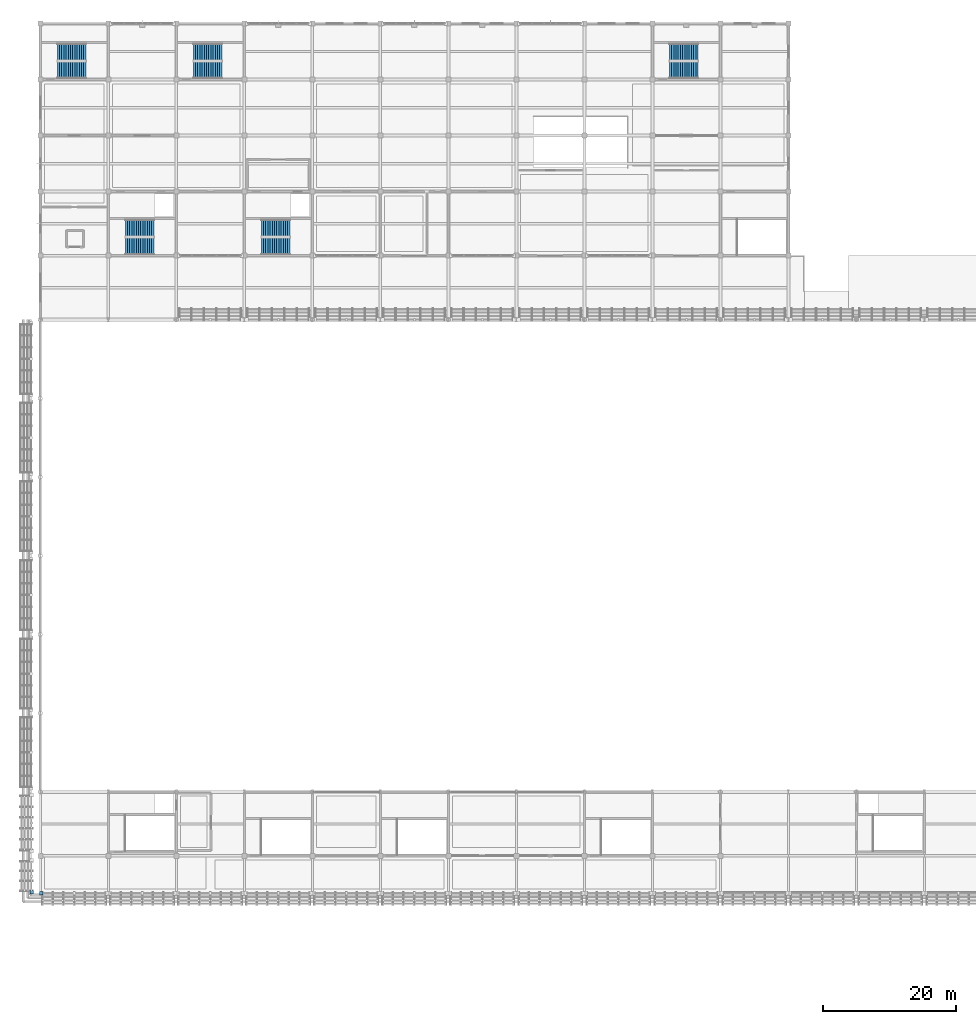
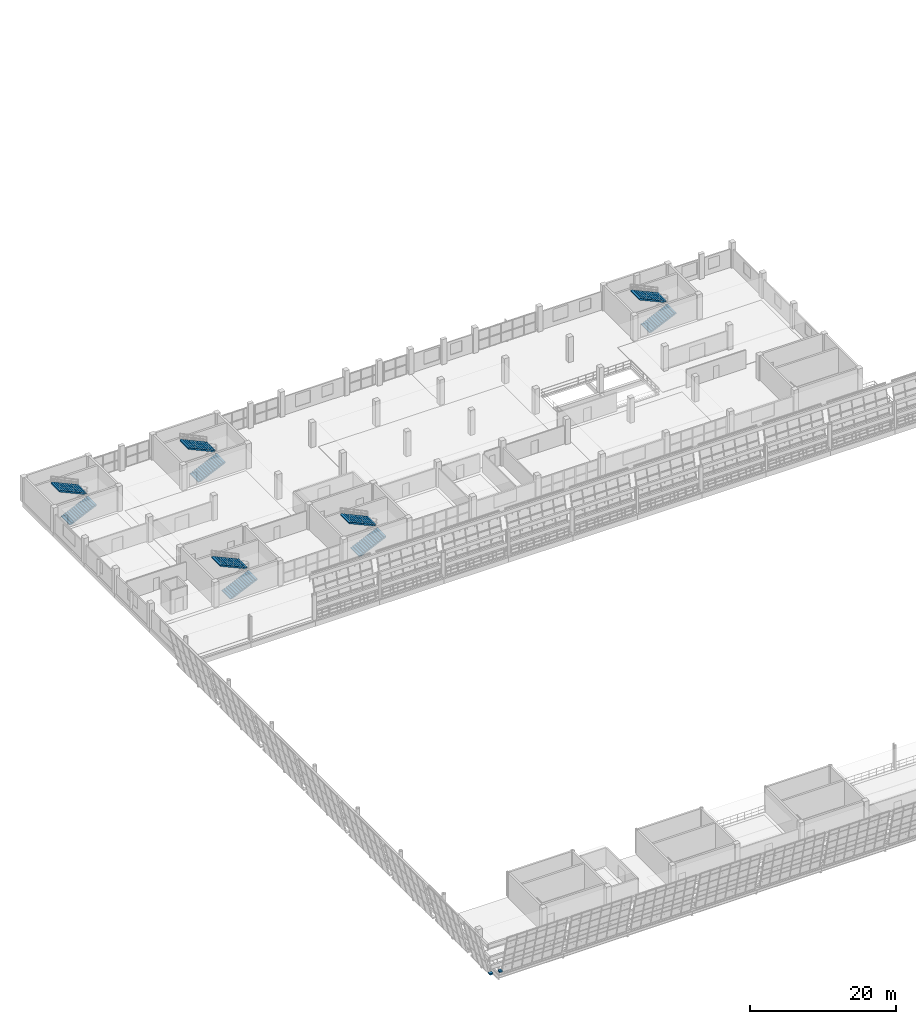
# One storey, part 135 of 157: 10 stair flights, 2 discrete accessories, 5 elements without a shape of their own.
"""IFC4 building model written with IfcOpenShell, lengths in metres."""

import ifcopenshell
import ifcopenshell.guid

model = None  # the IFC model being written
_history = None  # IfcOwnerHistory: only IFC2X3 demands one
_inside = {}  # id of a spatial element -> (the spatial element, [elements in it])
_under = {}  # id of a project, library or spatial element -> (it, [spatial elements below it])
_declared = {}  # id of a project -> (the project, [libraries it declares])
_typed = {}  # id of a type object -> (the type object, [elements of that type])
_made_of = {}  # id of a material, layer set ... -> (it, [elements and type objects made of it])


def new_model(schema):
    """Start an empty IFC model of exactly this schema.

    Asked for "IFC4X3", IfcOpenShell would pick the latest addendum, in which some entities
    have other attributes; the version numbers below select the first issue.
    IFC2X3 requires an IfcOwnerHistory on every rooted entity: one is made here for all.
    """
    global model, _history
    if schema == "IFC4X3":
        model = ifcopenshell.file(schema_version=(4, 3, 0, 0))
    else:
        model = ifcopenshell.file(schema=schema)
    _inside.clear()
    _under.clear()
    _declared.clear()
    _typed.clear()
    _made_of.clear()
    _history = None
    if model.schema == "IFC2X3":
        org = make("IfcOrganization", Name="unknown")
        user = make(
            "IfcPersonAndOrganization",
            ThePerson=make("IfcPerson", FamilyName="unknown"),
            TheOrganization=org,
        )
        app = make(
            "IfcApplication",
            ApplicationDeveloper=org,
            Version="unknown",
            ApplicationFullName="unknown",
            ApplicationIdentifier="unknown",
        )
        _history = make(
            "IfcOwnerHistory",
            OwningUser=user,
            OwningApplication=app,
            ChangeAction="ADDED",
            CreationDate=0,
        )
    return model


def make(cls, **values):
    """One entity of the class cls with the attributes given. An attribute that is None is left unset."""
    return model.create_entity(
        cls, **{name: value for name, value in values.items() if value is not None}
    )


def rooted(cls, **values):
    """An entity with a GlobalId (a new one), such as an element, a storey or a relation."""
    return make(cls, GlobalId=ifcopenshell.guid.new(), OwnerHistory=_history, **values)


def si_unit(unit_type, name, prefix=None):
    """IfcSIUnit, for example si_unit("LENGTHUNIT", "METRE", prefix="MILLI")."""
    return make("IfcSIUnit", UnitType=unit_type, Prefix=prefix, Name=name)


def assignment(units):
    """IfcUnitAssignment: the units of a project."""
    return None if units is None else make("IfcUnitAssignment", Units=units)


def point(xyz):
    """IfcCartesianPoint."""
    return None if xyz is None else make("IfcCartesianPoint", Coordinates=xyz)


def direction(xyz):
    """IfcDirection."""
    return None if xyz is None else make("IfcDirection", DirectionRatios=xyz)


def frame(location, z_axis=None, x_axis=None):
    """IfcAxis2Placement3D, a coordinate frame: its origin and axes. An axis left out is left unset."""
    return make(
        "IfcAxis2Placement3D",
        Location=point(location),
        Axis=direction(z_axis),
        RefDirection=direction(x_axis),
    )


def frame_2d(location, x_axis=None):
    """IfcAxis2Placement2D, a coordinate frame in the plane: its origin and x axis."""
    return make(
        "IfcAxis2Placement2D", Location=point(location), RefDirection=direction(x_axis)
    )


def origin():
    """The frame at (0, 0, 0) with its axes left unset."""
    return frame((0.0, 0.0, 0.0))


def origin_2d():
    """The frame at (0, 0) in the plane with its x axis left unset."""
    return frame_2d((0.0, 0.0))


def place(relative_to, where):
    """IfcLocalPlacement: puts the frame where relative to a parent placement (None: the world)."""
    return make(
        "IfcLocalPlacement", PlacementRelTo=relative_to, RelativePlacement=where
    )


def context(
    kind, dimensions, precision=None, world=None, true_north=None, identifier=None
):
    """IfcGeometricRepresentationContext, for example the 3D "Model" context."""
    return make(
        "IfcGeometricRepresentationContext",
        ContextIdentifier=identifier,
        ContextType=kind,
        CoordinateSpaceDimension=dimensions,
        Precision=precision,
        WorldCoordinateSystem=world,
        TrueNorth=true_north,
    )


def subcontext(parent, identifier, kind, view, scale=None):
    """IfcGeometricRepresentationSubContext, for example "Body" below "Model"."""
    return make(
        "IfcGeometricRepresentationSubContext",
        ContextIdentifier=identifier,
        ContextType=kind,
        ParentContext=parent,
        TargetScale=scale,
        TargetView=view,
    )


def project(units=None, contexts=None):
    """IfcProject with its units and contexts."""
    return rooted(
        "IfcProject",
        Name="project",
        RepresentationContexts=contexts,
        UnitsInContext=assignment(units),
    )


def spatial(cls, under=None, at=None, **own):
    """A site, building, storey or space (cls), placed at a placement, below another one or the project."""
    s = rooted(cls, ObjectPlacement=at, **own)
    if under is not None:
        _under.setdefault(under.id(), (under, []))[1].append(s)
    return s


def polyline(points):
    """IfcPolyline through the points."""
    return make("IfcPolyline", Points=[point(p) for p in points])


def profile(cls, at=None, kind="AREA", **sizes):
    """A parametric profile (cls). Its sizes go by their IFC names, for example OverallWidth=200.0."""
    return make(cls, ProfileType=kind, Position=at, **sizes)


def rectangle(**sizes):
    """IfcRectangleProfileDef."""
    return profile("IfcRectangleProfileDef", **sizes)


def outline(outer, holes=None, kind="AREA"):
    """IfcArbitraryClosedProfileDef: a profile drawn as a closed curve; with holes, ...WithVoids."""
    if holes is None:
        return make("IfcArbitraryClosedProfileDef", ProfileType=kind, OuterCurve=outer)
    return make(
        "IfcArbitraryProfileDefWithVoids",
        ProfileType=kind,
        OuterCurve=outer,
        InnerCurves=holes,
    )


def extrude(swept, where, along, depth):
    """IfcExtrudedAreaSolid: the profile swept, set in the frame where, extruded along a direction by depth."""
    return make(
        "IfcExtrudedAreaSolid",
        SweptArea=swept,
        Position=where,
        ExtrudedDirection=direction(along),
        Depth=depth,
    )


def shape(context_of_items, identifier, shape_type, items):
    """IfcShapeRepresentation: the items that make up one representation, for example the "Body"."""
    return make(
        "IfcShapeRepresentation",
        ContextOfItems=context_of_items,
        RepresentationIdentifier=identifier,
        RepresentationType=shape_type,
        Items=items,
    )


def material(Name=None, Category=None):
    """IfcMaterial."""
    return make("IfcMaterial", Name=Name, Category=Category)


def made_of(thing, what):
    """Note that an element or type object is made of a material, layer set ...; save() writes the relation."""
    if what is not None:
        _made_of.setdefault(what.id(), (what, []))[1].append(thing)
    return thing


def type_object(cls, material=None, **own):
    """A type object (cls), such as IfcWallType, which elements share."""
    return made_of(rooted(cls, **own), material)


def element(
    cls,
    number,
    at=None,
    inside=None,
    cuts=None,
    type_object=None,
    material=None,
    context=None,
    identifier="Body",
    shape_type=None,
    held_by="IfcProductDefinitionShape",
    body=None,
    shapes=None,
    **own,
):
    """One element of the class cls, such as IfcWall. Its Tag is "e" and its number.

    at: its placement. inside: the storey or other place that contains it. cuts: it is an
    opening in that element (IfcRelVoidsElement). A single representation is given by context,
    identifier, shape_type and body (its items); several are given by shapes. held_by: the class
    of the entity that holds the representations. save() writes the other relations.
    """
    e = rooted(cls, Tag="e%d" % number, ObjectPlacement=at, **own)
    if body is not None:
        shapes = [shape(context, identifier, shape_type, body)]
    if shapes is not None:
        e.Representation = make(held_by, Representations=shapes)
    if inside is not None:
        _inside.setdefault(inside.id(), (inside, []))[1].append(e)
    if cuts is not None:
        rooted(
            "IfcRelVoidsElement", RelatingBuildingElement=cuts, RelatedOpeningElement=e
        )
    if type_object is not None:
        _typed.setdefault(type_object.id(), (type_object, []))[1].append(e)
    return made_of(e, material)


def aggregate(whole, parts):
    """IfcRelAggregates: a whole, such as a stair, and the parts it consists of."""
    return rooted("IfcRelAggregates", RelatingObject=whole, RelatedObjects=parts)


def save(model, path):
    """Write the relations noted so far, then the file.

    IfcRelAggregates (storeys below a building ...), IfcRelContainedInSpatialStructure (elements
    in a storey), IfcRelDefinesByType, IfcRelAssociatesMaterial and IfcRelDeclares: one each for
    every whole, place, type object, material and project.
    """
    for whole, parts in _under.values():
        aggregate(whole, parts)
    for where, things in _inside.values():
        rooted(
            "IfcRelContainedInSpatialStructure",
            RelatedElements=things,
            RelatingStructure=where,
        )
    for kind, things in _typed.values():
        rooted("IfcRelDefinesByType", RelatedObjects=things, RelatingType=kind)
    for what, things in _made_of.values():
        rooted("IfcRelAssociatesMaterial", RelatedObjects=things, RelatingMaterial=what)
    for by, libraries in _declared.values():
        rooted("IfcRelDeclares", RelatingContext=by, RelatedDefinitions=libraries)
    model.write(path)


model = new_model("IFC4")

# Units and contexts
model_context = context("Model", 3, precision=1e-05, world=origin(), true_north=direction((0.0, 1.0)))
body_context = subcontext(model_context, "Body", "Model", "MODEL_VIEW")
ifc_project = project(units=[si_unit("LENGTHUNIT", "METRE"), si_unit("AREAUNIT", "SQUARE_METRE"), si_unit("VOLUMEUNIT", "CUBIC_METRE"), si_unit("PLANEANGLEUNIT", "RADIAN"), si_unit("MASSUNIT", "GRAM", prefix="KILO")], contexts=[model_context])

# Site, building, storey
site_placement = place(None, origin())
site = spatial("IfcSite", under=ifc_project, at=site_placement, CompositionType="ELEMENT")
building_placement = place(site_placement, origin())
building = spatial("IfcBuilding", under=site, at=building_placement, Name="Brelvane Convention Centre", CompositionType="ELEMENT")
storey_placement = place(building_placement, frame((0.0, 0.0, 10.800048828125)))
storey = spatial("IfcBuildingStorey", under=building, at=storey_placement, Name="L02", CompositionType="ELEMENT", Elevation=10.800048828125)

# Stair, stair flights
ifc_material_1 = material(Name="Concrete M40", Category="concrete")
stair_type = type_object("IfcStairType", Name="Exit Stair ST-CORE", PredefinedType="HALF_TURN_STAIR", material=ifc_material_1)
stair_1_placement = place(storey_placement, origin())
stair_1 = element("IfcStair", 1, at=stair_1_placement, inside=storey, type_object=stair_type, Name="Exit Stair ST-06 (L02 to L03)", PredefinedType="HALF_TURN_STAIR")
ifc_material_2 = material(Name="Concrete M40", Category="concrete")
stair_flight_type = type_object("IfcStairFlightType", Name="Stair Flight SF-C14", PredefinedType="STRAIGHT", material=ifc_material_2)
stair_flight_1_placement = place(storey_placement, frame((12.75, 110.6298828125, 0.0), z_axis=(0.0, 0.0, 1.0), x_axis=(1.0, 0.0, 0.0)))
stair_flight_1 = element("IfcStairFlight", 2, at=stair_flight_1_placement, type_object=stair_flight_type, Name="Stair ST-06 L02 Flight 1", NumberOfRisers=14, NumberOfTreads=13, PredefinedType="STRAIGHT", RiserHeight=0.15, TreadLength=0.33, context=body_context, shape_type="SweptSolid", body=[
    extrude(outline(polyline([(0.0, 0.0), (0.0, 0.14990234375), (0.330078125, 0.14990234375), (0.330078125, 0.300048828125), (0.659912109375, 0.300048828125), (0.659912109375, 0.449951171875), (0.989990234375, 0.449951171875), (0.989990234375, 0.60009765625), (1.320068359375, 0.60009765625), (1.320068359375, 0.75), (1.64990234375, 0.75), (1.64990234375, 0.89990234375), (1.97998046875, 0.89990234375), (1.97998046875, 1.050048828125), (2.31005859375, 1.050048828125), (2.31005859375, 1.199951171875), (2.639892578125, 1.199951171875), (2.639892578125, 1.35009765625), (2.969970703125, 1.35009765625), (2.969970703125, 1.5), (3.300048828125, 1.5), (3.300048828125, 1.64990234375), (3.6298828125, 1.64990234375), (3.6298828125, 1.800048828125), (3.9599609375, 1.800048828125), (3.9599609375, 1.949951171875), (4.2900390625, 1.949951171875), (4.2900390625, 2.10009765625), (4.2900390625, 1.75244140625), (0.434814453125, 0.0), (0.0, 0.0)])), frame((0.0, 1.18994140625, 0.0), z_axis=(0.0, -1.0, 0.0), x_axis=(1.0, 0.0, 0.0)), (0.0, 0.0, 1.0), 2.3798828125),
])
stair_flight_2_placement = place(storey_placement, frame((17.0400390625, 113.3701171875, 2.099853515625), z_axis=(0.0, 0.0, 1.0), x_axis=(-1.0, 0.0, 0.0)))
stair_flight_2 = element("IfcStairFlight", 3, at=stair_flight_2_placement, type_object=stair_flight_type, Name="Stair ST-06 L02 Flight 2", NumberOfRisers=14, NumberOfTreads=13, PredefinedType="STRAIGHT", RiserHeight=0.15, TreadLength=0.33, context=body_context, shape_type="SweptSolid", body=[
    extrude(outline(polyline([(0.0, 0.0), (0.0, 0.14990234375), (0.330078125, 0.14990234375), (0.330078125, 0.300048828125), (0.659912109375, 0.300048828125), (0.659912109375, 0.449951171875), (0.989990234375, 0.449951171875), (0.989990234375, 0.60009765625), (1.320068359375, 0.60009765625), (1.320068359375, 0.75), (1.64990234375, 0.75), (1.64990234375, 0.89990234375), (1.97998046875, 0.89990234375), (1.97998046875, 1.050048828125), (2.31005859375, 1.050048828125), (2.31005859375, 1.199951171875), (2.639892578125, 1.199951171875), (2.639892578125, 1.35009765625), (2.969970703125, 1.35009765625), (2.969970703125, 1.5), (3.300048828125, 1.5), (3.300048828125, 1.64990234375), (3.6298828125, 1.64990234375), (3.6298828125, 1.800048828125), (3.9599609375, 1.800048828125), (3.9599609375, 1.949951171875), (4.2900390625, 1.949951171875), (4.2900390625, 2.10009765625), (4.2900390625, 1.75244140625), (0.434814453125, 0.0), (0.0, 0.0)])), frame((0.0, 1.18994140625, 0.0), z_axis=(0.0, -1.0, 0.0), x_axis=(1.0, 0.0, 0.0)), (0.0, 0.0, 1.0), 2.3798828125),
])
aggregate(stair_1, [stair_flight_1, stair_flight_2])

stair_2_placement = place(storey_placement, origin())
stair_2 = element("IfcStair", 4, at=stair_2_placement, inside=storey, type_object=stair_type, Name="Exit Stair ST-07 (L02 to L03)", PredefinedType="HALF_TURN_STAIR")
stair_flight_3_placement = place(storey_placement, frame((33.14990234375, 110.6298828125, 0.0), z_axis=(0.0, 0.0, 1.0), x_axis=(1.0, 0.0, 0.0)))
stair_flight_3 = element("IfcStairFlight", 5, at=stair_flight_3_placement, type_object=stair_flight_type, Name="Stair ST-07 L02 Flight 1", NumberOfRisers=14, NumberOfTreads=13, PredefinedType="STRAIGHT", RiserHeight=0.15, TreadLength=0.33, context=body_context, shape_type="SweptSolid", body=[
    extrude(outline(polyline([(0.0, 0.0), (0.0, 0.14990234375), (0.330078125, 0.14990234375), (0.330078125, 0.300048828125), (0.659912109375, 0.300048828125), (0.659912109375, 0.449951171875), (0.989990234375, 0.449951171875), (0.989990234375, 0.60009765625), (1.320068359375, 0.60009765625), (1.320068359375, 0.75), (1.64990234375, 0.75), (1.64990234375, 0.89990234375), (1.97998046875, 0.89990234375), (1.97998046875, 1.050048828125), (2.31005859375, 1.050048828125), (2.31005859375, 1.199951171875), (2.639892578125, 1.199951171875), (2.639892578125, 1.35009765625), (2.969970703125, 1.35009765625), (2.969970703125, 1.5), (3.300048828125, 1.5), (3.300048828125, 1.64990234375), (3.6298828125, 1.64990234375), (3.6298828125, 1.800048828125), (3.9599609375, 1.800048828125), (3.9599609375, 1.949951171875), (4.2900390625, 1.949951171875), (4.2900390625, 2.10009765625), (4.2900390625, 1.75244140625), (0.434814453125, 0.0), (0.0, 0.0)])), frame((0.0, 1.18994140625, 0.0), z_axis=(0.0, -1.0, 0.0), x_axis=(1.0, 0.0, 0.0)), (0.0, 0.0, 1.0), 2.3798828125),
])
stair_flight_4_placement = place(storey_placement, frame((37.43994140625, 113.3701171875, 2.099853515625), z_axis=(0.0, 0.0, 1.0), x_axis=(-1.0, 0.0, 0.0)))
stair_flight_4 = element("IfcStairFlight", 6, at=stair_flight_4_placement, type_object=stair_flight_type, Name="Stair ST-07 L02 Flight 2", NumberOfRisers=14, NumberOfTreads=13, PredefinedType="STRAIGHT", RiserHeight=0.15, TreadLength=0.33, context=body_context, shape_type="SweptSolid", body=[
    extrude(outline(polyline([(0.0, 0.0), (0.0, 0.14990234375), (0.330078125, 0.14990234375), (0.330078125, 0.300048828125), (0.659912109375, 0.300048828125), (0.659912109375, 0.449951171875), (0.989990234375, 0.449951171875), (0.989990234375, 0.60009765625), (1.320068359375, 0.60009765625), (1.320068359375, 0.75), (1.64990234375, 0.75), (1.64990234375, 0.89990234375), (1.97998046875, 0.89990234375), (1.97998046875, 1.050048828125), (2.31005859375, 1.050048828125), (2.31005859375, 1.199951171875), (2.639892578125, 1.199951171875), (2.639892578125, 1.35009765625), (2.969970703125, 1.35009765625), (2.969970703125, 1.5), (3.300048828125, 1.5), (3.300048828125, 1.64990234375), (3.6298828125, 1.64990234375), (3.6298828125, 1.800048828125), (3.9599609375, 1.800048828125), (3.9599609375, 1.949951171875), (4.2900390625, 1.949951171875), (4.2900390625, 2.10009765625), (4.2900390625, 1.75244140625), (0.434814453125, 0.0), (0.0, 0.0)])), frame((0.0, 1.18994140625, 0.0), z_axis=(0.0, -1.0, 0.0), x_axis=(1.0, 0.0, 0.0)), (0.0, 0.0, 1.0), 2.3798828125),
])
aggregate(stair_2, [stair_flight_3, stair_flight_4])

stair_3_placement = place(storey_placement, origin())
stair_3 = element("IfcStair", 7, at=stair_3_placement, inside=storey, type_object=stair_type, Name="Exit Stair ST-12 (L02 to L03)", PredefinedType="HALF_TURN_STAIR")
stair_flight_5_placement = place(storey_placement, frame((94.35009765625, 137.030029296875, 0.0), z_axis=(0.0, 0.0, 1.0), x_axis=(1.0, 0.0, 0.0)))
stair_flight_5 = element("IfcStairFlight", 8, at=stair_flight_5_placement, type_object=stair_flight_type, Name="Stair ST-12 L02 Flight 1", NumberOfRisers=14, NumberOfTreads=13, PredefinedType="STRAIGHT", RiserHeight=0.15, TreadLength=0.33, context=body_context, shape_type="SweptSolid", body=[
    extrude(outline(polyline([(0.0, 0.0), (0.0, 0.14990234375), (0.330078125, 0.14990234375), (0.330078125, 0.300048828125), (0.659912109375, 0.300048828125), (0.659912109375, 0.449951171875), (0.989990234375, 0.449951171875), (0.989990234375, 0.60009765625), (1.320068359375, 0.60009765625), (1.320068359375, 0.75), (1.64990234375, 0.75), (1.64990234375, 0.89990234375), (1.97998046875, 0.89990234375), (1.97998046875, 1.050048828125), (2.31005859375, 1.050048828125), (2.31005859375, 1.199951171875), (2.639892578125, 1.199951171875), (2.639892578125, 1.35009765625), (2.969970703125, 1.35009765625), (2.969970703125, 1.5), (3.300048828125, 1.5), (3.300048828125, 1.64990234375), (3.6298828125, 1.64990234375), (3.6298828125, 1.800048828125), (3.9599609375, 1.800048828125), (3.9599609375, 1.949951171875), (4.2900390625, 1.949951171875), (4.2900390625, 2.10009765625), (4.2900390625, 1.75244140625), (0.434814453125, 0.0), (0.0, 0.0)])), frame((0.0, 1.18994140625, 0.0), z_axis=(0.0, -1.0, 0.0), x_axis=(1.0, 0.0, 0.0)), (0.0, 0.0, 1.0), 2.3798828125),
])
stair_flight_6_placement = place(storey_placement, frame((98.639892578125, 139.77001953125, 2.099853515625), z_axis=(0.0, 0.0, 1.0), x_axis=(-1.0, 0.0, 0.0)))
stair_flight_6 = element("IfcStairFlight", 9, at=stair_flight_6_placement, type_object=stair_flight_type, Name="Stair ST-12 L02 Flight 2", NumberOfRisers=14, NumberOfTreads=13, PredefinedType="STRAIGHT", RiserHeight=0.15, TreadLength=0.33, context=body_context, shape_type="SweptSolid", body=[
    extrude(outline(polyline([(0.0, 0.0), (0.0, 0.14990234375), (0.330078125, 0.14990234375), (0.330078125, 0.300048828125), (0.659912109375, 0.300048828125), (0.659912109375, 0.449951171875), (0.989990234375, 0.449951171875), (0.989990234375, 0.60009765625), (1.320068359375, 0.60009765625), (1.320068359375, 0.75), (1.64990234375, 0.75), (1.64990234375, 0.89990234375), (1.97998046875, 0.89990234375), (1.97998046875, 1.050048828125), (2.31005859375, 1.050048828125), (2.31005859375, 1.199951171875), (2.639892578125, 1.199951171875), (2.639892578125, 1.35009765625), (2.969970703125, 1.35009765625), (2.969970703125, 1.5), (3.300048828125, 1.5), (3.300048828125, 1.64990234375), (3.6298828125, 1.64990234375), (3.6298828125, 1.800048828125), (3.9599609375, 1.800048828125), (3.9599609375, 1.949951171875), (4.2900390625, 1.949951171875), (4.2900390625, 2.10009765625), (4.2900390625, 1.75244140625), (0.434814453125, 0.0), (0.0, 0.0)])), frame((0.0, 1.18994140625, 0.0), z_axis=(0.0, -1.0, 0.0), x_axis=(1.0, 0.0, 0.0)), (0.0, 0.0, 1.0), 2.3798828125),
])
aggregate(stair_3, [stair_flight_5, stair_flight_6])

stair_4_placement = place(storey_placement, origin())
stair_4 = element("IfcStair", 10, at=stair_4_placement, inside=storey, type_object=stair_type, Name="Exit Stair ST-13 (L02 to L03)", PredefinedType="HALF_TURN_STAIR")
stair_flight_7_placement = place(storey_placement, frame((22.949951171875, 137.030029296875, 0.0), z_axis=(0.0, 0.0, 1.0), x_axis=(1.0, 0.0, 0.0)))
stair_flight_7 = element("IfcStairFlight", 11, at=stair_flight_7_placement, type_object=stair_flight_type, Name="Stair ST-13 L02 Flight 1", NumberOfRisers=14, NumberOfTreads=13, PredefinedType="STRAIGHT", RiserHeight=0.15, TreadLength=0.33, context=body_context, shape_type="SweptSolid", body=[
    extrude(outline(polyline([(0.0, 0.0), (0.0, 0.14990234375), (0.330078125, 0.14990234375), (0.330078125, 0.300048828125), (0.659912109375, 0.300048828125), (0.659912109375, 0.449951171875), (0.989990234375, 0.449951171875), (0.989990234375, 0.60009765625), (1.320068359375, 0.60009765625), (1.320068359375, 0.75), (1.64990234375, 0.75), (1.64990234375, 0.89990234375), (1.97998046875, 0.89990234375), (1.97998046875, 1.050048828125), (2.31005859375, 1.050048828125), (2.31005859375, 1.199951171875), (2.639892578125, 1.199951171875), (2.639892578125, 1.35009765625), (2.969970703125, 1.35009765625), (2.969970703125, 1.5), (3.300048828125, 1.5), (3.300048828125, 1.64990234375), (3.6298828125, 1.64990234375), (3.6298828125, 1.800048828125), (3.9599609375, 1.800048828125), (3.9599609375, 1.949951171875), (4.2900390625, 1.949951171875), (4.2900390625, 2.10009765625), (4.2900390625, 1.75244140625), (0.434814453125, 0.0), (0.0, 0.0)])), frame((0.0, 1.18994140625, 0.0), z_axis=(0.0, -1.0, 0.0), x_axis=(1.0, 0.0, 0.0)), (0.0, 0.0, 1.0), 2.3798828125),
])
stair_flight_8_placement = place(storey_placement, frame((27.239990234375, 139.77001953125, 2.099853515625), z_axis=(0.0, 0.0, 1.0), x_axis=(-1.0, 0.0, 0.0)))
stair_flight_8 = element("IfcStairFlight", 12, at=stair_flight_8_placement, type_object=stair_flight_type, Name="Stair ST-13 L02 Flight 2", NumberOfRisers=14, NumberOfTreads=13, PredefinedType="STRAIGHT", RiserHeight=0.15, TreadLength=0.33, context=body_context, shape_type="SweptSolid", body=[
    extrude(outline(polyline([(0.0, 0.0), (0.0, 0.14990234375), (0.330078125, 0.14990234375), (0.330078125, 0.300048828125), (0.659912109375, 0.300048828125), (0.659912109375, 0.449951171875), (0.989990234375, 0.449951171875), (0.989990234375, 0.60009765625), (1.320068359375, 0.60009765625), (1.320068359375, 0.75), (1.64990234375, 0.75), (1.64990234375, 0.89990234375), (1.97998046875, 0.89990234375), (1.97998046875, 1.050048828125), (2.31005859375, 1.050048828125), (2.31005859375, 1.199951171875), (2.639892578125, 1.199951171875), (2.639892578125, 1.35009765625), (2.969970703125, 1.35009765625), (2.969970703125, 1.5), (3.300048828125, 1.5), (3.300048828125, 1.64990234375), (3.6298828125, 1.64990234375), (3.6298828125, 1.800048828125), (3.9599609375, 1.800048828125), (3.9599609375, 1.949951171875), (4.2900390625, 1.949951171875), (4.2900390625, 2.10009765625), (4.2900390625, 1.75244140625), (0.434814453125, 0.0), (0.0, 0.0)])), frame((0.0, 1.18994140625, 0.0), z_axis=(0.0, -1.0, 0.0), x_axis=(1.0, 0.0, 0.0)), (0.0, 0.0, 1.0), 2.3798828125),
])
aggregate(stair_4, [stair_flight_7, stair_flight_8])

stair_5_placement = place(storey_placement, origin())
stair_5 = element("IfcStair", 13, at=stair_5_placement, inside=storey, type_object=stair_type, Name="Exit Stair ST-17 (L02 to L03)", PredefinedType="HALF_TURN_STAIR")
stair_flight_9_placement = place(storey_placement, frame((2.550048828125, 137.030029296875, 0.0), z_axis=(0.0, 0.0, 1.0), x_axis=(1.0, 0.0, 0.0)))
stair_flight_9 = element("IfcStairFlight", 14, at=stair_flight_9_placement, type_object=stair_flight_type, Name="Stair ST-17 L02 Flight 1", NumberOfRisers=14, NumberOfTreads=13, PredefinedType="STRAIGHT", RiserHeight=0.15, TreadLength=0.33, context=body_context, shape_type="SweptSolid", body=[
    extrude(outline(polyline([(0.0, 0.0), (0.0, 0.14990234375), (0.330078125, 0.14990234375), (0.330078125, 0.300048828125), (0.659912109375, 0.300048828125), (0.659912109375, 0.449951171875), (0.989990234375, 0.449951171875), (0.989990234375, 0.60009765625), (1.320068359375, 0.60009765625), (1.320068359375, 0.75), (1.64990234375, 0.75), (1.64990234375, 0.89990234375), (1.97998046875, 0.89990234375), (1.97998046875, 1.050048828125), (2.31005859375, 1.050048828125), (2.31005859375, 1.199951171875), (2.639892578125, 1.199951171875), (2.639892578125, 1.35009765625), (2.969970703125, 1.35009765625), (2.969970703125, 1.5), (3.300048828125, 1.5), (3.300048828125, 1.64990234375), (3.6298828125, 1.64990234375), (3.6298828125, 1.800048828125), (3.9599609375, 1.800048828125), (3.9599609375, 1.949951171875), (4.2900390625, 1.949951171875), (4.2900390625, 2.10009765625), (4.2900390625, 1.75244140625), (0.434814453125, 0.0), (0.0, 0.0)])), frame((0.0, 1.18994140625, 0.0), z_axis=(0.0, -1.0, 0.0), x_axis=(1.0, 0.0, 0.0)), (0.0, 0.0, 1.0), 2.3798828125),
])
stair_flight_10_placement = place(storey_placement, frame((6.840087890625, 139.77001953125, 2.099853515625), z_axis=(0.0, 0.0, 1.0), x_axis=(-1.0, 0.0, 0.0)))
stair_flight_10 = element("IfcStairFlight", 15, at=stair_flight_10_placement, type_object=stair_flight_type, Name="Stair ST-17 L02 Flight 2", NumberOfRisers=14, NumberOfTreads=13, PredefinedType="STRAIGHT", RiserHeight=0.15, TreadLength=0.33, context=body_context, shape_type="SweptSolid", body=[
    extrude(outline(polyline([(0.0, 0.0), (0.0, 0.14990234375), (0.330078125, 0.14990234375), (0.330078125, 0.300048828125), (0.659912109375, 0.300048828125), (0.659912109375, 0.449951171875), (0.989990234375, 0.449951171875), (0.989990234375, 0.60009765625), (1.320068359375, 0.60009765625), (1.320068359375, 0.75), (1.64990234375, 0.75), (1.64990234375, 0.89990234375), (1.97998046875, 0.89990234375), (1.97998046875, 1.050048828125), (2.31005859375, 1.050048828125), (2.31005859375, 1.199951171875), (2.639892578125, 1.199951171875), (2.639892578125, 1.35009765625), (2.969970703125, 1.35009765625), (2.969970703125, 1.5), (3.300048828125, 1.5), (3.300048828125, 1.64990234375), (3.6298828125, 1.64990234375), (3.6298828125, 1.800048828125), (3.9599609375, 1.800048828125), (3.9599609375, 1.949951171875), (4.2900390625, 1.949951171875), (4.2900390625, 2.10009765625), (4.2900390625, 1.75244140625), (0.434814453125, 0.0), (0.0, 0.0)])), frame((0.0, 1.18994140625, 0.0), z_axis=(0.0, -1.0, 0.0), x_axis=(1.0, 0.0, 0.0)), (0.0, 0.0, 1.0), 2.3798828125),
])
aggregate(stair_5, [stair_flight_9, stair_flight_10])

# Discrete accessories
ifc_material_3 = material(Name="Steel E350 (350 MPa)", Category="steel")
discrete_accessory_type = type_object("IfcDiscreteAccessoryType", Name="Facade Outrigger Bracket BRK-02", PredefinedType="BRACKET", material=ifc_material_3)
for number, where, z_axis, x_axis, name in (
    (16, (0.159912109375, 13.60009765625, 0.22998046875), (0.0, 0.0, 1.0), (1.0, 0.0, 0.0), "Curtain Wall Anchor Bracket L02-HULL-S-L02-01-L"),
    (17, (-1.280029296875, 13.739990234375, 0.22998046875), (0.0, 0.0, 1.0), (1.0, 0.0, 0.0), "Curtain Wall Anchor Bracket L02-HULL-W-GAL-L02-A-L"),
):
    element("IfcDiscreteAccessory", number, at=place(storey_placement, frame(where, z_axis=z_axis, x_axis=x_axis)), inside=storey, type_object=discrete_accessory_type, Name=name, PredefinedType="BRACKET", context=body_context, shape_type="SweptSolid", body=[
        extrude(rectangle(XDim=0.47998046875, YDim=0.47998046875, at=origin_2d()), origin(), (0.0, 0.0, 1.0), 0.239990234375),
    ])

save(model, "model.ifc")
